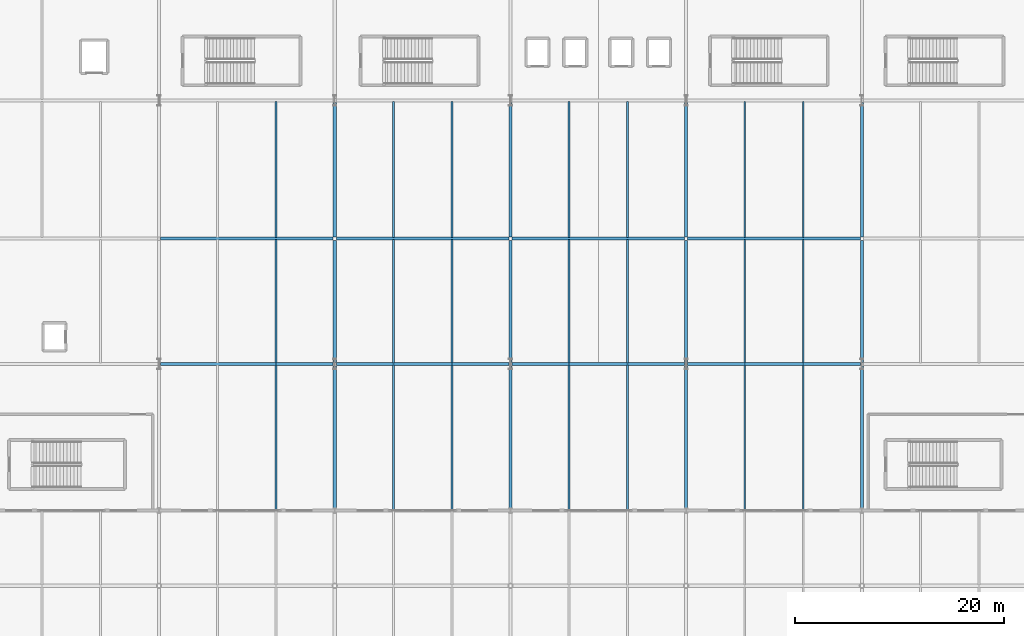
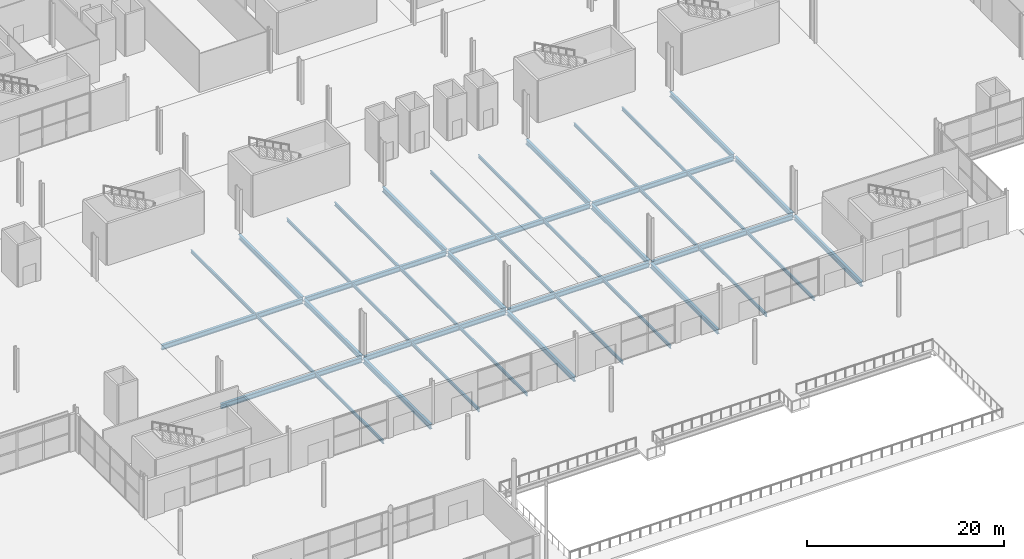
# One storey, part 27 of 87: 41 beams.
"""IFC4 building model written with IfcOpenShell, lengths in metres."""

from ifc_helpers import new_model, si_unit, direction, frame, origin, origin_2d, place, context, subcontext, project, spatial, i_section, extrude, material, material_profile, profile_set, type_object, element, save


model = new_model("IFC4")

# Units and contexts
model_context = context("Model", 3, precision=1e-05, world=origin(), true_north=direction((0.0, 1.0)))
body_context = subcontext(model_context, "Body", "Model", "MODEL_VIEW")
ifc_project = project(units=[si_unit("LENGTHUNIT", "METRE"), si_unit("AREAUNIT", "SQUARE_METRE"), si_unit("VOLUMEUNIT", "CUBIC_METRE"), si_unit("PLANEANGLEUNIT", "RADIAN"), si_unit("MASSUNIT", "GRAM", prefix="KILO")], contexts=[model_context])

# Site, building, storey
site_placement = place(None, origin())
site = spatial("IfcSite", under=ifc_project, at=site_placement, CompositionType="ELEMENT")
building_placement = place(site_placement, origin())
building = spatial("IfcBuilding", under=site, at=building_placement, Name="Kimbaza Rail Terminus", CompositionType="ELEMENT")
storey_placement = place(building_placement, origin())
storey = spatial("IfcBuildingStorey", under=building, at=storey_placement, Name="L00", CompositionType="ELEMENT", Elevation=0.0)

# Beams
ifc_material_1 = material(Name="Steel S355", Category="steel")
ifc_material_profile_1 = material_profile(ifc_material_1, i_section(OverallWidth=0.300048828125, OverallDepth=0.60009765625, WebThickness=0.015380859375, FlangeThickness=0.030029296875, FilletRadius=0.027099609375, at=origin_2d()), Name="HEB 600")
ifc_profile_set_1 = profile_set([ifc_material_profile_1], Name="Steel S355")
beam_type_1 = type_object("IfcBeamType", Name="STR-BM-HEB600", PredefinedType="BEAM", material=ifc_profile_set_1)
beam_1_placement = place(storey_placement, frame((88.800048828125, 41.175048828125, -0.550048828125), z_axis=(0.0, 1.0, 0.0), x_axis=(-1.0, 0.0, 0.0)))
element("IfcBeam", 1, at=beam_1_placement, inside=storey, type_object=beam_type_1, Name="Beam BM-V2Y-L00-2-41", PredefinedType="BEAM", context=body_context, shape_type="SweptSolid", body=[
    extrude(i_section(OverallWidth=0.300048828125, OverallDepth=0.60009765625, WebThickness=0.015380859375, FlangeThickness=0.030029296875, FilletRadius=0.027099609375, at=origin_2d()), origin(), (0.0, 0.0, 1.0), 13.64990234375),
])
beam_2_placement = place(storey_placement, frame((88.800048828125, 55.175048828125, -0.550048828125), z_axis=(0.0, 1.0, 0.0), x_axis=(-1.0, 0.0, 0.0)))
element("IfcBeam", 2, at=beam_2_placement, inside=storey, type_object=beam_type_1, Name="Beam BM-V2Y-L00-2-55", PredefinedType="BEAM", context=body_context, shape_type="SweptSolid", body=[
    extrude(i_section(OverallWidth=0.300048828125, OverallDepth=0.60009765625, WebThickness=0.015380859375, FlangeThickness=0.030029296875, FilletRadius=0.027099609375, at=origin_2d()), origin(), (0.0, 0.0, 1.0), 11.64990234375),
])
beam_3_placement = place(storey_placement, frame((88.800048828125, 67.175048828125, -0.550048828125), z_axis=(0.0, 1.0, 0.0), x_axis=(-1.0, 0.0, 0.0)))
element("IfcBeam", 3, at=beam_3_placement, inside=storey, type_object=beam_type_1, Name="Beam BM-V2Y-L00-2-67", PredefinedType="BEAM", context=body_context, shape_type="SweptSolid", body=[
    extrude(i_section(OverallWidth=0.300048828125, OverallDepth=0.60009765625, WebThickness=0.015380859375, FlangeThickness=0.030029296875, FilletRadius=0.027099609375, at=origin_2d()), origin(), (0.0, 0.0, 1.0), 12.849853515625),
])
beam_4_placement = place(storey_placement, frame((105.60009765625, 41.175048828125, -0.550048828125), z_axis=(0.0, 1.0, 0.0), x_axis=(-1.0, 0.0, 0.0)))
element("IfcBeam", 4, at=beam_4_placement, inside=storey, type_object=beam_type_1, Name="Beam BM-V2Y-L00-3-41", PredefinedType="BEAM", context=body_context, shape_type="SweptSolid", body=[
    extrude(i_section(OverallWidth=0.300048828125, OverallDepth=0.60009765625, WebThickness=0.015380859375, FlangeThickness=0.030029296875, FilletRadius=0.027099609375, at=origin_2d()), origin(), (0.0, 0.0, 1.0), 13.64990234375),
])
beam_5_placement = place(storey_placement, frame((105.60009765625, 55.175048828125, -0.550048828125), z_axis=(0.0, 1.0, 0.0), x_axis=(-1.0, 0.0, 0.0)))
element("IfcBeam", 5, at=beam_5_placement, inside=storey, type_object=beam_type_1, Name="Beam BM-V2Y-L00-3-55", PredefinedType="BEAM", context=body_context, shape_type="SweptSolid", body=[
    extrude(i_section(OverallWidth=0.300048828125, OverallDepth=0.60009765625, WebThickness=0.015380859375, FlangeThickness=0.030029296875, FilletRadius=0.027099609375, at=origin_2d()), origin(), (0.0, 0.0, 1.0), 11.64990234375),
])
beam_6_placement = place(storey_placement, frame((105.60009765625, 67.175048828125, -0.550048828125), z_axis=(0.0, 1.0, 0.0), x_axis=(-1.0, 0.0, 0.0)))
element("IfcBeam", 6, at=beam_6_placement, inside=storey, type_object=beam_type_1, Name="Beam BM-V2Y-L00-3-67", PredefinedType="BEAM", context=body_context, shape_type="SweptSolid", body=[
    extrude(i_section(OverallWidth=0.300048828125, OverallDepth=0.60009765625, WebThickness=0.015380859375, FlangeThickness=0.030029296875, FilletRadius=0.027099609375, at=origin_2d()), origin(), (0.0, 0.0, 1.0), 12.849853515625),
])
beam_7_placement = place(storey_placement, frame((122.39990234375, 41.175048828125, -0.550048828125), z_axis=(0.0, 1.0, 0.0), x_axis=(-1.0, 0.0, 0.0)))
element("IfcBeam", 7, at=beam_7_placement, inside=storey, type_object=beam_type_1, Name="Beam BM-V2Y-L00-4-41", PredefinedType="BEAM", context=body_context, shape_type="SweptSolid", body=[
    extrude(i_section(OverallWidth=0.300048828125, OverallDepth=0.60009765625, WebThickness=0.015380859375, FlangeThickness=0.030029296875, FilletRadius=0.027099609375, at=origin_2d()), origin(), (0.0, 0.0, 1.0), 13.64990234375),
])
beam_8_placement = place(storey_placement, frame((122.39990234375, 55.175048828125, -0.550048828125), z_axis=(0.0, 1.0, 0.0), x_axis=(-1.0, 0.0, 0.0)))
element("IfcBeam", 8, at=beam_8_placement, inside=storey, type_object=beam_type_1, Name="Beam BM-V2Y-L00-4-55", PredefinedType="BEAM", context=body_context, shape_type="SweptSolid", body=[
    extrude(i_section(OverallWidth=0.300048828125, OverallDepth=0.60009765625, WebThickness=0.015380859375, FlangeThickness=0.030029296875, FilletRadius=0.027099609375, at=origin_2d()), origin(), (0.0, 0.0, 1.0), 11.64990234375),
])
beam_9_placement = place(storey_placement, frame((122.39990234375, 67.175048828125, -0.550048828125), z_axis=(0.0, 1.0, 0.0), x_axis=(-1.0, 0.0, 0.0)))
element("IfcBeam", 9, at=beam_9_placement, inside=storey, type_object=beam_type_1, Name="Beam BM-V2Y-L00-4-67", PredefinedType="BEAM", context=body_context, shape_type="SweptSolid", body=[
    extrude(i_section(OverallWidth=0.300048828125, OverallDepth=0.60009765625, WebThickness=0.015380859375, FlangeThickness=0.030029296875, FilletRadius=0.027099609375, at=origin_2d()), origin(), (0.0, 0.0, 1.0), 12.849853515625),
])
beam_10_placement = place(storey_placement, frame((139.199951171875, 41.175048828125, -0.550048828125), z_axis=(0.0, 1.0, 0.0), x_axis=(-1.0, 0.0, 0.0)))
element("IfcBeam", 10, at=beam_10_placement, inside=storey, type_object=beam_type_1, Name="Beam BM-V2Y-L00-5-41", PredefinedType="BEAM", context=body_context, shape_type="SweptSolid", body=[
    extrude(i_section(OverallWidth=0.300048828125, OverallDepth=0.60009765625, WebThickness=0.015380859375, FlangeThickness=0.030029296875, FilletRadius=0.027099609375, at=origin_2d()), origin(), (0.0, 0.0, 1.0), 13.64990234375),
])
beam_11_placement = place(storey_placement, frame((139.199951171875, 55.175048828125, -0.550048828125), z_axis=(0.0, 1.0, 0.0), x_axis=(-1.0, 0.0, 0.0)))
element("IfcBeam", 11, at=beam_11_placement, inside=storey, type_object=beam_type_1, Name="Beam BM-V2Y-L00-5-55", PredefinedType="BEAM", context=body_context, shape_type="SweptSolid", body=[
    extrude(i_section(OverallWidth=0.300048828125, OverallDepth=0.60009765625, WebThickness=0.015380859375, FlangeThickness=0.030029296875, FilletRadius=0.027099609375, at=origin_2d()), origin(), (0.0, 0.0, 1.0), 11.64990234375),
])
beam_12_placement = place(storey_placement, frame((139.199951171875, 67.175048828125, -0.550048828125), z_axis=(0.0, 1.0, 0.0), x_axis=(-1.0, 0.0, 0.0)))
element("IfcBeam", 12, at=beam_12_placement, inside=storey, type_object=beam_type_1, Name="Beam BM-V2Y-L00-5-67", PredefinedType="BEAM", context=body_context, shape_type="SweptSolid", body=[
    extrude(i_section(OverallWidth=0.300048828125, OverallDepth=0.60009765625, WebThickness=0.015380859375, FlangeThickness=0.030029296875, FilletRadius=0.027099609375, at=origin_2d()), origin(), (0.0, 0.0, 1.0), 12.849853515625),
])
for number, where, z_axis, x_axis, name in (
    (13, (72.14599609375, 55.0, -0.550048828125), (1.0, 0.0, 0.0), (0.0, 1.0, 0.0), "Beam BM-V2X-L00-3-2"),
    (14, (88.946044921875, 55.0, -0.550048828125), (1.0, 0.0, 0.0), (0.0, 1.0, 0.0), "Beam BM-V2X-L00-3-3"),
):
    element("IfcBeam", number, at=place(storey_placement, frame(where, z_axis=z_axis, x_axis=x_axis)), inside=storey, type_object=beam_type_1, Name=name, PredefinedType="BEAM", context=body_context, shape_type="SweptSolid", body=[
        extrude(i_section(OverallWidth=0.300048828125, OverallDepth=0.60009765625, WebThickness=0.015380859375, FlangeThickness=0.030029296875, FilletRadius=0.027099609375, at=origin_2d()), origin(), (0.0, 0.0, 1.0), 16.508056640625),
    ])
beam_13_placement = place(storey_placement, frame((105.74609375, 55.0, -0.550048828125), z_axis=(1.0, 0.0, 0.0), x_axis=(0.0, 1.0, 0.0)))
element("IfcBeam", 15, at=beam_13_placement, inside=storey, type_object=beam_type_1, Name="Beam BM-V2X-L00-3-4", PredefinedType="BEAM", context=body_context, shape_type="SweptSolid", body=[
    extrude(i_section(OverallWidth=0.300048828125, OverallDepth=0.60009765625, WebThickness=0.015380859375, FlangeThickness=0.030029296875, FilletRadius=0.027099609375, at=origin_2d()), origin(), (0.0, 0.0, 1.0), 16.5078125),
])
for number, where, z_axis, x_axis, name in (
    (16, (122.5458984375, 55.0, -0.550048828125), (1.0, 0.0, 0.0), (0.0, 1.0, 0.0), "Beam BM-V2X-L00-3-5"),
    (17, (72.14599609375, 67.0, -0.550048828125), (1.0, 0.0, 0.0), (0.0, 1.0, 0.0), "Beam BM-V2X-L00-4-2"),
    (18, (88.946044921875, 67.0, -0.550048828125), (1.0, 0.0, 0.0), (0.0, 1.0, 0.0), "Beam BM-V2X-L00-4-3"),
):
    element("IfcBeam", number, at=place(storey_placement, frame(where, z_axis=z_axis, x_axis=x_axis)), inside=storey, type_object=beam_type_1, Name=name, PredefinedType="BEAM", context=body_context, shape_type="SweptSolid", body=[
        extrude(i_section(OverallWidth=0.300048828125, OverallDepth=0.60009765625, WebThickness=0.015380859375, FlangeThickness=0.030029296875, FilletRadius=0.027099609375, at=origin_2d()), origin(), (0.0, 0.0, 1.0), 16.508056640625),
    ])
beam_14_placement = place(storey_placement, frame((105.74609375, 67.0, -0.550048828125), z_axis=(1.0, 0.0, 0.0), x_axis=(0.0, 1.0, 0.0)))
element("IfcBeam", 19, at=beam_14_placement, inside=storey, type_object=beam_type_1, Name="Beam BM-V2X-L00-4-4", PredefinedType="BEAM", context=body_context, shape_type="SweptSolid", body=[
    extrude(i_section(OverallWidth=0.300048828125, OverallDepth=0.60009765625, WebThickness=0.015380859375, FlangeThickness=0.030029296875, FilletRadius=0.027099609375, at=origin_2d()), origin(), (0.0, 0.0, 1.0), 16.5078125),
])
beam_15_placement = place(storey_placement, frame((122.5458984375, 67.0, -0.550048828125), z_axis=(1.0, 0.0, 0.0), x_axis=(0.0, 1.0, 0.0)))
element("IfcBeam", 20, at=beam_15_placement, inside=storey, type_object=beam_type_1, Name="Beam BM-V2X-L00-4-5", PredefinedType="BEAM", context=body_context, shape_type="SweptSolid", body=[
    extrude(i_section(OverallWidth=0.300048828125, OverallDepth=0.60009765625, WebThickness=0.015380859375, FlangeThickness=0.030029296875, FilletRadius=0.027099609375, at=origin_2d()), origin(), (0.0, 0.0, 1.0), 16.508056640625),
])
ifc_material_2 = material(Name="Steel S355", Category="steel")
ifc_material_profile_2 = material_profile(ifc_material_2, i_section(OverallWidth=0.179931640625, OverallDepth=0.39990234375, WebThickness=0.008544921875, FlangeThickness=0.013427734375, FilletRadius=0.02099609375, at=origin_2d()), Name="IPE 400")
ifc_profile_set_2 = profile_set([ifc_material_profile_2], Name="Steel S355")
beam_type_2 = type_object("IfcBeamType", Name="STR-BM-IPE400", PredefinedType="JOIST", material=ifc_profile_set_2)
beam_16_placement = place(storey_placement, frame((83.199951171875, 41.10009765625, -0.449951171875), z_axis=(0.0, 1.0, 0.0), x_axis=(-1.0, 0.0, 0.0)))
element("IfcBeam", 21, at=beam_16_placement, inside=storey, type_object=beam_type_2, Name="Beam JST-V2-L00-2-2-41", PredefinedType="JOIST", context=body_context, shape_type="SweptSolid", body=[
    extrude(i_section(OverallWidth=0.179931640625, OverallDepth=0.39990234375, WebThickness=0.008544921875, FlangeThickness=0.013427734375, FilletRadius=0.02099609375, at=origin_2d()), origin(), (0.0, 0.0, 1.0), 13.7998046875),
])
beam_17_placement = place(storey_placement, frame((83.199951171875, 55.10009765625, -0.449951171875), z_axis=(0.0, 1.0, 0.0), x_axis=(-1.0, 0.0, 0.0)))
element("IfcBeam", 22, at=beam_17_placement, inside=storey, type_object=beam_type_2, Name="Beam JST-V2-L00-2-2-55", PredefinedType="JOIST", context=body_context, shape_type="SweptSolid", body=[
    extrude(i_section(OverallWidth=0.179931640625, OverallDepth=0.39990234375, WebThickness=0.008544921875, FlangeThickness=0.013427734375, FilletRadius=0.02099609375, at=origin_2d()), origin(), (0.0, 0.0, 1.0), 11.7998046875),
])
beam_18_placement = place(storey_placement, frame((83.199951171875, 67.10009765625, -0.449951171875), z_axis=(0.0, 1.0, 0.0), x_axis=(-1.0, 0.0, 0.0)))
element("IfcBeam", 23, at=beam_18_placement, inside=storey, type_object=beam_type_2, Name="Beam JST-V2-L00-2-2-67", PredefinedType="JOIST", context=body_context, shape_type="SweptSolid", body=[
    extrude(i_section(OverallWidth=0.179931640625, OverallDepth=0.39990234375, WebThickness=0.008544921875, FlangeThickness=0.013427734375, FilletRadius=0.02099609375, at=origin_2d()), origin(), (0.0, 0.0, 1.0), 13.0),
])
beam_19_placement = place(storey_placement, frame((94.39990234375, 41.10009765625, -0.449951171875), z_axis=(0.0, 1.0, 0.0), x_axis=(-1.0, 0.0, 0.0)))
element("IfcBeam", 24, at=beam_19_placement, inside=storey, type_object=beam_type_2, Name="Beam JST-V2-L00-3-1-41", PredefinedType="JOIST", context=body_context, shape_type="SweptSolid", body=[
    extrude(i_section(OverallWidth=0.179931640625, OverallDepth=0.39990234375, WebThickness=0.008544921875, FlangeThickness=0.013427734375, FilletRadius=0.02099609375, at=origin_2d()), origin(), (0.0, 0.0, 1.0), 13.7998046875),
])
beam_20_placement = place(storey_placement, frame((94.39990234375, 55.10009765625, -0.449951171875), z_axis=(0.0, 1.0, 0.0), x_axis=(-1.0, 0.0, 0.0)))
element("IfcBeam", 25, at=beam_20_placement, inside=storey, type_object=beam_type_2, Name="Beam JST-V2-L00-3-1-55", PredefinedType="JOIST", context=body_context, shape_type="SweptSolid", body=[
    extrude(i_section(OverallWidth=0.179931640625, OverallDepth=0.39990234375, WebThickness=0.008544921875, FlangeThickness=0.013427734375, FilletRadius=0.02099609375, at=origin_2d()), origin(), (0.0, 0.0, 1.0), 11.7998046875),
])
beam_21_placement = place(storey_placement, frame((94.39990234375, 67.10009765625, -0.449951171875), z_axis=(0.0, 1.0, 0.0), x_axis=(-1.0, 0.0, 0.0)))
element("IfcBeam", 26, at=beam_21_placement, inside=storey, type_object=beam_type_2, Name="Beam JST-V2-L00-3-1-67", PredefinedType="JOIST", context=body_context, shape_type="SweptSolid", body=[
    extrude(i_section(OverallWidth=0.179931640625, OverallDepth=0.39990234375, WebThickness=0.008544921875, FlangeThickness=0.013427734375, FilletRadius=0.02099609375, at=origin_2d()), origin(), (0.0, 0.0, 1.0), 13.0),
])
beam_22_placement = place(storey_placement, frame((100.0, 41.10009765625, -0.449951171875), z_axis=(0.0, 1.0, 0.0), x_axis=(-1.0, 0.0, 0.0)))
element("IfcBeam", 27, at=beam_22_placement, inside=storey, type_object=beam_type_2, Name="Beam JST-V2-L00-3-2-41", PredefinedType="JOIST", context=body_context, shape_type="SweptSolid", body=[
    extrude(i_section(OverallWidth=0.179931640625, OverallDepth=0.39990234375, WebThickness=0.008544921875, FlangeThickness=0.013427734375, FilletRadius=0.02099609375, at=origin_2d()), origin(), (0.0, 0.0, 1.0), 13.7998046875),
])
beam_23_placement = place(storey_placement, frame((100.0, 55.10009765625, -0.449951171875), z_axis=(0.0, 1.0, 0.0), x_axis=(-1.0, 0.0, 0.0)))
element("IfcBeam", 28, at=beam_23_placement, inside=storey, type_object=beam_type_2, Name="Beam JST-V2-L00-3-2-55", PredefinedType="JOIST", context=body_context, shape_type="SweptSolid", body=[
    extrude(i_section(OverallWidth=0.179931640625, OverallDepth=0.39990234375, WebThickness=0.008544921875, FlangeThickness=0.013427734375, FilletRadius=0.02099609375, at=origin_2d()), origin(), (0.0, 0.0, 1.0), 11.7998046875),
])
beam_24_placement = place(storey_placement, frame((100.0, 67.10009765625, -0.449951171875), z_axis=(0.0, 1.0, 0.0), x_axis=(-1.0, 0.0, 0.0)))
element("IfcBeam", 29, at=beam_24_placement, inside=storey, type_object=beam_type_2, Name="Beam JST-V2-L00-3-2-67", PredefinedType="JOIST", context=body_context, shape_type="SweptSolid", body=[
    extrude(i_section(OverallWidth=0.179931640625, OverallDepth=0.39990234375, WebThickness=0.008544921875, FlangeThickness=0.013427734375, FilletRadius=0.02099609375, at=origin_2d()), origin(), (0.0, 0.0, 1.0), 13.0),
])
beam_25_placement = place(storey_placement, frame((111.199951171875, 41.10009765625, -0.449951171875), z_axis=(0.0, 1.0, 0.0), x_axis=(-1.0, 0.0, 0.0)))
element("IfcBeam", 30, at=beam_25_placement, inside=storey, type_object=beam_type_2, Name="Beam JST-V2-L00-4-1-41", PredefinedType="JOIST", context=body_context, shape_type="SweptSolid", body=[
    extrude(i_section(OverallWidth=0.179931640625, OverallDepth=0.39990234375, WebThickness=0.008544921875, FlangeThickness=0.013427734375, FilletRadius=0.02099609375, at=origin_2d()), origin(), (0.0, 0.0, 1.0), 13.7998046875),
])
beam_26_placement = place(storey_placement, frame((111.199951171875, 55.10009765625, -0.449951171875), z_axis=(0.0, 1.0, 0.0), x_axis=(-1.0, 0.0, 0.0)))
element("IfcBeam", 31, at=beam_26_placement, inside=storey, type_object=beam_type_2, Name="Beam JST-V2-L00-4-1-55", PredefinedType="JOIST", context=body_context, shape_type="SweptSolid", body=[
    extrude(i_section(OverallWidth=0.179931640625, OverallDepth=0.39990234375, WebThickness=0.008544921875, FlangeThickness=0.013427734375, FilletRadius=0.02099609375, at=origin_2d()), origin(), (0.0, 0.0, 1.0), 11.7998046875),
])
beam_27_placement = place(storey_placement, frame((111.199951171875, 67.10009765625, -0.449951171875), z_axis=(0.0, 1.0, 0.0), x_axis=(-1.0, 0.0, 0.0)))
element("IfcBeam", 32, at=beam_27_placement, inside=storey, type_object=beam_type_2, Name="Beam JST-V2-L00-4-1-67", PredefinedType="JOIST", context=body_context, shape_type="SweptSolid", body=[
    extrude(i_section(OverallWidth=0.179931640625, OverallDepth=0.39990234375, WebThickness=0.008544921875, FlangeThickness=0.013427734375, FilletRadius=0.02099609375, at=origin_2d()), origin(), (0.0, 0.0, 1.0), 13.0),
])
beam_28_placement = place(storey_placement, frame((116.800048828125, 41.10009765625, -0.449951171875), z_axis=(0.0, 1.0, 0.0), x_axis=(-1.0, 0.0, 0.0)))
element("IfcBeam", 33, at=beam_28_placement, inside=storey, type_object=beam_type_2, Name="Beam JST-V2-L00-4-2-41", PredefinedType="JOIST", context=body_context, shape_type="SweptSolid", body=[
    extrude(i_section(OverallWidth=0.179931640625, OverallDepth=0.39990234375, WebThickness=0.008544921875, FlangeThickness=0.013427734375, FilletRadius=0.02099609375, at=origin_2d()), origin(), (0.0, 0.0, 1.0), 13.7998046875),
])
beam_29_placement = place(storey_placement, frame((116.800048828125, 55.10009765625, -0.449951171875), z_axis=(0.0, 1.0, 0.0), x_axis=(-1.0, 0.0, 0.0)))
element("IfcBeam", 34, at=beam_29_placement, inside=storey, type_object=beam_type_2, Name="Beam JST-V2-L00-4-2-55", PredefinedType="JOIST", context=body_context, shape_type="SweptSolid", body=[
    extrude(i_section(OverallWidth=0.179931640625, OverallDepth=0.39990234375, WebThickness=0.008544921875, FlangeThickness=0.013427734375, FilletRadius=0.02099609375, at=origin_2d()), origin(), (0.0, 0.0, 1.0), 11.7998046875),
])
beam_30_placement = place(storey_placement, frame((116.800048828125, 67.10009765625, -0.449951171875), z_axis=(0.0, 1.0, 0.0), x_axis=(-1.0, 0.0, 0.0)))
element("IfcBeam", 35, at=beam_30_placement, inside=storey, type_object=beam_type_2, Name="Beam JST-V2-L00-4-2-67", PredefinedType="JOIST", context=body_context, shape_type="SweptSolid", body=[
    extrude(i_section(OverallWidth=0.179931640625, OverallDepth=0.39990234375, WebThickness=0.008544921875, FlangeThickness=0.013427734375, FilletRadius=0.02099609375, at=origin_2d()), origin(), (0.0, 0.0, 1.0), 13.0),
])
beam_31_placement = place(storey_placement, frame((128.0, 41.10009765625, -0.449951171875), z_axis=(0.0, 1.0, 0.0), x_axis=(-1.0, 0.0, 0.0)))
element("IfcBeam", 36, at=beam_31_placement, inside=storey, type_object=beam_type_2, Name="Beam JST-V2-L00-5-1-41", PredefinedType="JOIST", context=body_context, shape_type="SweptSolid", body=[
    extrude(i_section(OverallWidth=0.179931640625, OverallDepth=0.39990234375, WebThickness=0.008544921875, FlangeThickness=0.013427734375, FilletRadius=0.02099609375, at=origin_2d()), origin(), (0.0, 0.0, 1.0), 13.7998046875),
])
beam_32_placement = place(storey_placement, frame((128.0, 55.10009765625, -0.449951171875), z_axis=(0.0, 1.0, 0.0), x_axis=(-1.0, 0.0, 0.0)))
element("IfcBeam", 37, at=beam_32_placement, inside=storey, type_object=beam_type_2, Name="Beam JST-V2-L00-5-1-55", PredefinedType="JOIST", context=body_context, shape_type="SweptSolid", body=[
    extrude(i_section(OverallWidth=0.179931640625, OverallDepth=0.39990234375, WebThickness=0.008544921875, FlangeThickness=0.013427734375, FilletRadius=0.02099609375, at=origin_2d()), origin(), (0.0, 0.0, 1.0), 11.7998046875),
])
beam_33_placement = place(storey_placement, frame((128.0, 67.10009765625, -0.449951171875), z_axis=(0.0, 1.0, 0.0), x_axis=(-1.0, 0.0, 0.0)))
element("IfcBeam", 38, at=beam_33_placement, inside=storey, type_object=beam_type_2, Name="Beam JST-V2-L00-5-1-67", PredefinedType="JOIST", context=body_context, shape_type="SweptSolid", body=[
    extrude(i_section(OverallWidth=0.179931640625, OverallDepth=0.39990234375, WebThickness=0.008544921875, FlangeThickness=0.013427734375, FilletRadius=0.02099609375, at=origin_2d()), origin(), (0.0, 0.0, 1.0), 13.0),
])
beam_34_placement = place(storey_placement, frame((133.60009765625, 41.10009765625, -0.449951171875), z_axis=(0.0, 1.0, 0.0), x_axis=(-1.0, 0.0, 0.0)))
element("IfcBeam", 39, at=beam_34_placement, inside=storey, type_object=beam_type_2, Name="Beam JST-V2-L00-5-2-41", PredefinedType="JOIST", context=body_context, shape_type="SweptSolid", body=[
    extrude(i_section(OverallWidth=0.179931640625, OverallDepth=0.39990234375, WebThickness=0.008544921875, FlangeThickness=0.013427734375, FilletRadius=0.02099609375, at=origin_2d()), origin(), (0.0, 0.0, 1.0), 13.7998046875),
])
beam_35_placement = place(storey_placement, frame((133.60009765625, 55.10009765625, -0.449951171875), z_axis=(0.0, 1.0, 0.0), x_axis=(-1.0, 0.0, 0.0)))
element("IfcBeam", 40, at=beam_35_placement, inside=storey, type_object=beam_type_2, Name="Beam JST-V2-L00-5-2-55", PredefinedType="JOIST", context=body_context, shape_type="SweptSolid", body=[
    extrude(i_section(OverallWidth=0.179931640625, OverallDepth=0.39990234375, WebThickness=0.008544921875, FlangeThickness=0.013427734375, FilletRadius=0.02099609375, at=origin_2d()), origin(), (0.0, 0.0, 1.0), 11.7998046875),
])
beam_36_placement = place(storey_placement, frame((133.60009765625, 67.10009765625, -0.449951171875), z_axis=(0.0, 1.0, 0.0), x_axis=(-1.0, 0.0, 0.0)))
element("IfcBeam", 41, at=beam_36_placement, inside=storey, type_object=beam_type_2, Name="Beam JST-V2-L00-5-2-67", PredefinedType="JOIST", context=body_context, shape_type="SweptSolid", body=[
    extrude(i_section(OverallWidth=0.179931640625, OverallDepth=0.39990234375, WebThickness=0.008544921875, FlangeThickness=0.013427734375, FilletRadius=0.02099609375, at=origin_2d()), origin(), (0.0, 0.0, 1.0), 13.0),
])

save(model, "model.ifc")
